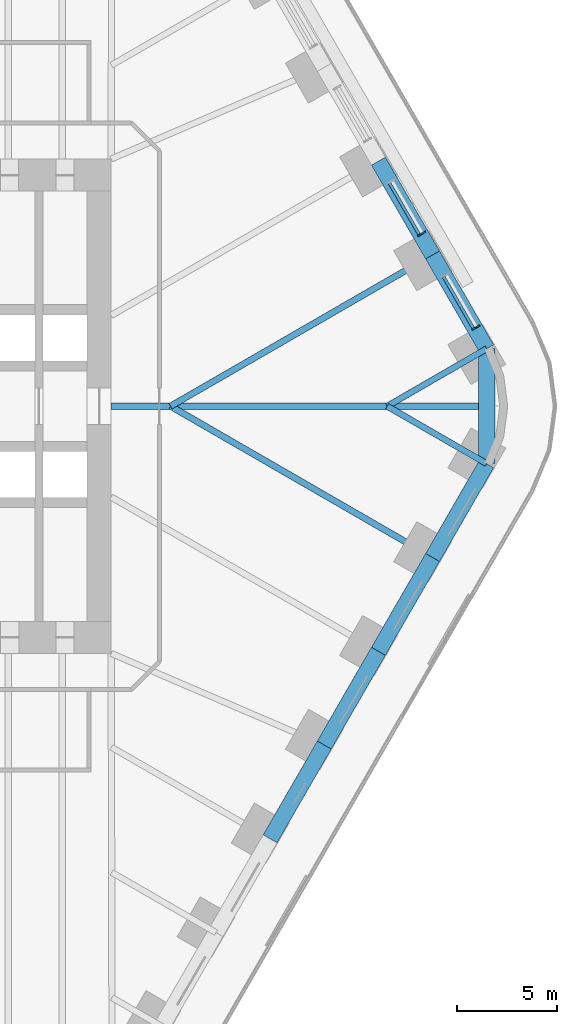
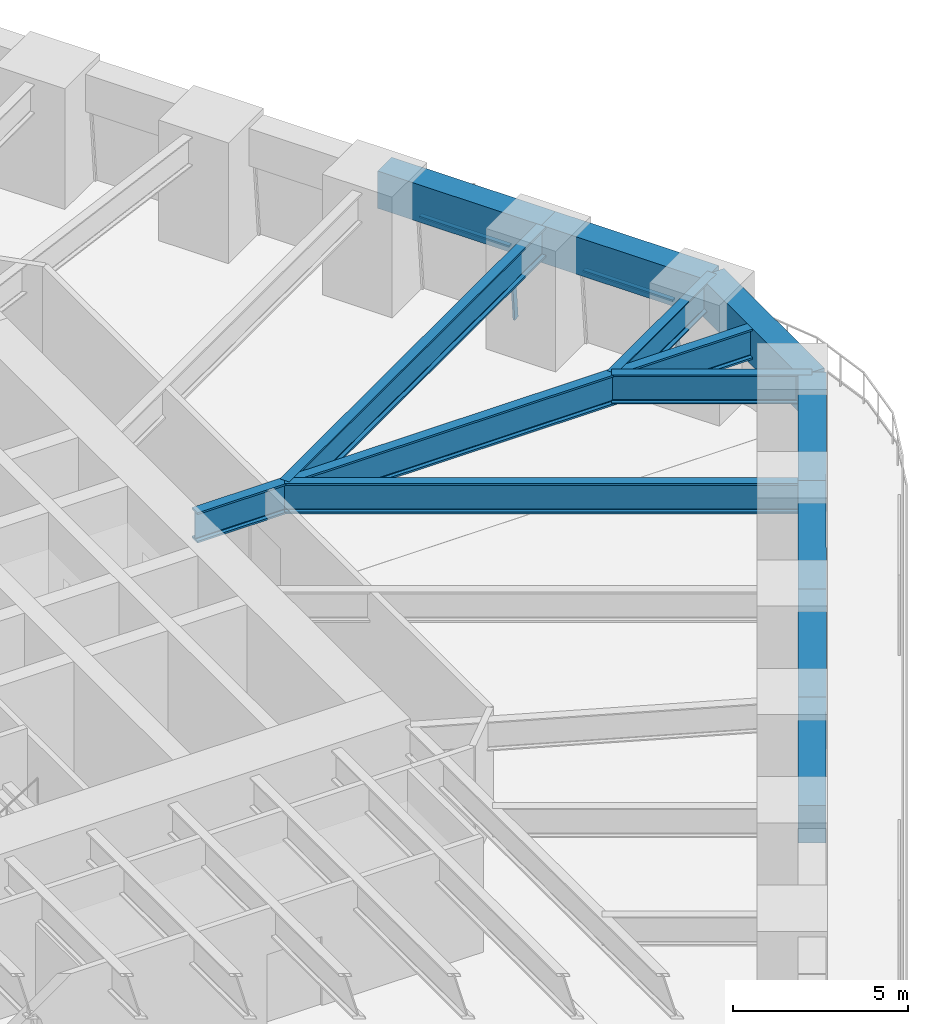
# One storey, part 12 of 23: 12 beams, 4 members, 2 elements without a shape of their own.
"""IFC4 building model written with IfcOpenShell, lengths in metres."""

from ifc_helpers import new_model, si_unit, direction, frame, origin, origin_2d, place, context, subcontext, project, spatial, rectangle, i_section, extrude, material, material_profile, profile_set, type_object, element, aggregate, save


model = new_model("IFC4")

# Units and contexts
model_context = context("Model", 3, precision=1e-05, world=origin(), true_north=direction((0.0, 1.0)))
body_context = subcontext(model_context, "Body", "Model", "MODEL_VIEW")
ifc_project = project(units=[si_unit("LENGTHUNIT", "METRE"), si_unit("AREAUNIT", "SQUARE_METRE"), si_unit("VOLUMEUNIT", "CUBIC_METRE"), si_unit("PLANEANGLEUNIT", "RADIAN"), si_unit("MASSUNIT", "GRAM", prefix="KILO")], contexts=[model_context])

# Site, building, storey
site_placement = place(None, origin())
site = spatial("IfcSite", under=ifc_project, at=site_placement, CompositionType="ELEMENT")
building_placement = place(site_placement, origin())
building = spatial("IfcBuilding", under=site, at=building_placement, Name="Tarfa Lantern Tower", CompositionType="ELEMENT")
storey_placement = place(building_placement, frame((0.0, 0.0, 27.699951171875)))
storey = spatial("IfcBuildingStorey", under=building, at=storey_placement, Name="L05", CompositionType="ELEMENT", Elevation=27.699951171875)

# Curtain wall, member
ifc_material_1 = material(Name="Aluminium framed curtain wall", Category="aluminium")
curtain_wall_type = type_object("IfcCurtainWallType", Name="CW1 CANTED GLAZING LOW ZONE 2700", PredefinedType="USERDEFINED", material=ifc_material_1)
curtain_wall_1_placement = place(storey_placement, origin())
curtain_wall_1 = element("IfcCurtainWall", 1, at=curtain_wall_1_placement, inside=storey, type_object=curtain_wall_type, Name="CW1 NE L05", ObjectType="CURTAIN WALL", PredefinedType="USERDEFINED")
ifc_material_2 = material(Name="Aluminium mullion", Category="aluminium")
ifc_material_profile_1 = material_profile(ifc_material_2, rectangle(XDim=0.06494140625, YDim=0.199951171875, at=origin_2d()), Name="AL MULLION 65x200")
ifc_profile_set_1 = profile_set([ifc_material_profile_1], Name="Aluminium mullion")
member_type_1 = type_object("IfcMemberType", Name="CWM1 MULLION 65x200", PredefinedType="MULLION", material=ifc_profile_set_1)
member_1_placement = place(storey_placement, frame((36.849853515625, 3.97412109375, 0.0), z_axis=(-0.07986442134, -0.046099868913, 0.99573916077), x_axis=(0.499919672301, -0.866071776036, 0.0)))
member_1 = element("IfcMember", 2, at=member_1_placement, type_object=member_type_1, Name="CW1 mullion 1", PredefinedType="MULLION", context=body_context, shape_type="SweptSolid", body=[
    extrude(rectangle(XDim=0.06494140625, YDim=0.199951171875, at=origin_2d()), origin(), (0.0, 0.0, 1.0), 2.71142578125),
])

curtain_wall_2_placement = place(storey_placement, origin())
curtain_wall_2 = element("IfcCurtainWall", 3, at=curtain_wall_2_placement, inside=storey, type_object=curtain_wall_type, Name="CW1 NE L05", ObjectType="CURTAIN WALL", PredefinedType="USERDEFINED")
member_2_placement = place(storey_placement, frame((34.155517578125, 8.640625, 0.0), z_axis=(-0.079774955866, -0.04610020023, 0.995746317068), x_axis=(0.500342721131, -0.865827443207, 0.0)))
member_2 = element("IfcMember", 4, at=member_2_placement, type_object=member_type_1, Name="CW1 mullion 1", PredefinedType="MULLION", context=body_context, shape_type="SweptSolid", body=[
    extrude(rectangle(XDim=0.06494140625, YDim=0.199951171875, at=origin_2d()), origin(), (0.0, 0.0, 1.0), 2.71142578125),
])

# Member
ifc_material_3 = material(Name="Aluminium transom", Category="aluminium")
ifc_material_profile_2 = material_profile(ifc_material_3, rectangle(XDim=0.14990234375, YDim=0.06494140625, at=origin_2d()), Name="AL TRANSOM 150x65")
ifc_profile_set_2 = profile_set([ifc_material_profile_2], Name="Aluminium transom")
member_type_2 = type_object("IfcMemberType", Name="CWT1 TRANSOM 150x65", PredefinedType="USERDEFINED", material=ifc_profile_set_2)
member_3_placement = place(storey_placement, frame((36.619873046875, 3.878662109375, 2.66748046875), z_axis=(-0.50004387232, 0.866000072607, 0.0), x_axis=(-0.866000072607, -0.50004387232, 0.0)))
member_3 = element("IfcMember", 5, at=member_3_placement, type_object=member_type_2, Name="CW1 transom 1.2", ObjectType="TRANSOM", PredefinedType="USERDEFINED", context=body_context, shape_type="SweptSolid", body=[
    extrude(rectangle(XDim=0.14990234375, YDim=0.06494140625, at=origin_2d()), origin(), (0.0, 0.0, 1.0), 2.958740234375),
])

aggregate(curtain_wall_1, [member_1, member_3])

member_4_placement = place(storey_placement, frame((33.925537109375, 8.54541015625, 2.66748046875), z_axis=(-0.50004387232, 0.866000072607, 0.0), x_axis=(-0.866000072607, -0.50004387232, 0.0)))
member_4 = element("IfcMember", 6, at=member_4_placement, type_object=member_type_2, Name="CW1 transom 1.2", ObjectType="TRANSOM", PredefinedType="USERDEFINED", context=body_context, shape_type="SweptSolid", body=[
    extrude(rectangle(XDim=0.14990234375, YDim=0.06494140625, at=origin_2d()), origin(), (0.0, 0.0, 1.0), 2.958740234375),
])

aggregate(curtain_wall_2, [member_2, member_4])

# Beams
ifc_material_4 = material(Name="Concrete C80/95", Category="concrete")
ifc_material_profile_3 = material_profile(ifc_material_4, rectangle(XDim=0.800048828125, YDim=1.300048828125, at=origin_2d()), Name="RC 800x1300")
ifc_profile_set_3 = profile_set([ifc_material_profile_3], Name="Concrete C80/95")
beam_type_1 = type_object("IfcBeamType", Name="EB1 RC 800x1300", PredefinedType="SPANDREL", material=ifc_profile_set_3)
beam_1_placement = place(storey_placement, frame((37.285400390625, 2.860107421875, 3.35009765625), z_axis=(-0.500017906299, 0.866015065331, 0.0), x_axis=(-0.866015065331, -0.500017906299, 0.0)))
element("IfcBeam", 7, at=beam_1_placement, inside=storey, type_object=beam_type_1, Name="Edge beam NE0", PredefinedType="SPANDREL", context=body_context, shape_type="SweptSolid", body=[
    extrude(rectangle(XDim=0.800048828125, YDim=1.300048828125, at=origin_2d()), origin(), (0.0, 0.0, 1.0), 5.388427734375),
])
beam_2_placement = place(storey_placement, frame((34.591064453125, 7.526611328125, 3.35009765625), z_axis=(-0.499998287579, 0.866026392449, 0.0), x_axis=(-0.866026392449, -0.499998287579, 0.0)))
element("IfcBeam", 8, at=beam_2_placement, inside=storey, type_object=beam_type_1, Name="Edge beam NE1", PredefinedType="SPANDREL", context=body_context, shape_type="SweptSolid", body=[
    extrude(rectangle(XDim=0.800048828125, YDim=1.300048828125, at=origin_2d()), origin(), (0.0, 0.0, 1.0), 5.388671875),
])
beam_3_placement = place(storey_placement, frame((26.508056640625, -21.526611328125, 3.35009765625), z_axis=(0.500017906299, 0.866015065331, 0.0), x_axis=(-0.866015065331, 0.500017906299, 0.0)))
element("IfcBeam", 9, at=beam_3_placement, inside=storey, type_object=beam_type_1, Name="Edge beam SE2", PredefinedType="SPANDREL", context=body_context, shape_type="SweptSolid", body=[
    extrude(rectangle(XDim=0.800048828125, YDim=1.300048828125, at=origin_2d()), origin(), (0.0, 0.0, 1.0), 5.388427734375),
])
for number, where, z_axis, x_axis, name in (
    (10, (29.202392578125, -16.860107421875, 3.35009765625), (0.499998287579, 0.866026392449, 0.0), (-0.866026392449, 0.499998287579, 0.0), "Edge beam SE3"),
    (11, (31.896728515625, -12.193359375, 3.35009765625), (0.499998287579, 0.866026392449, 0.0), (-0.866026392449, 0.499998287579, 0.0), "Edge beam SE4"),
):
    element("IfcBeam", number, at=place(storey_placement, frame(where, z_axis=z_axis, x_axis=x_axis)), inside=storey, type_object=beam_type_1, Name=name, PredefinedType="SPANDREL", context=body_context, shape_type="SweptSolid", body=[
        extrude(rectangle(XDim=0.800048828125, YDim=1.300048828125, at=origin_2d()), origin(), (0.0, 0.0, 1.0), 5.388671875),
    ])
beam_4_placement = place(storey_placement, frame((34.591064453125, -7.526611328125, 3.35009765625), z_axis=(0.500017906299, 0.866015065331, 0.0), x_axis=(-0.866015065331, 0.500017906299, 0.0)))
element("IfcBeam", 12, at=beam_4_placement, inside=storey, type_object=beam_type_1, Name="Edge beam SE5", PredefinedType="SPANDREL", context=body_context, shape_type="SweptSolid", body=[
    extrude(rectangle(XDim=0.800048828125, YDim=1.300048828125, at=origin_2d()), origin(), (0.0, 0.0, 1.0), 5.388427734375),
])
beam_5_placement = place(storey_placement, frame((37.285400390625, -2.860107421875, 3.35009765625), z_axis=(0.0, 1.0, 0.0), x_axis=(-1.0, 0.0, 0.0)))
element("IfcBeam", 13, at=beam_5_placement, inside=storey, type_object=beam_type_1, Name="Edge beam SE6", PredefinedType="SPANDREL", context=body_context, shape_type="SweptSolid", body=[
    extrude(rectangle(XDim=0.800048828125, YDim=1.300048828125, at=origin_2d()), origin(), (0.0, 0.0, 1.0), 5.72021484375),
])
ifc_material_5 = material(Name="Steel S460M", Category="steel")
ifc_material_profile_4 = material_profile(ifc_material_5, i_section(OverallWidth=0.302001953125, OverallDepth=1.008056640625, WebThickness=0.02099609375, FlangeThickness=0.0400390625, FilletRadius=0.030029296875, at=origin_2d()), Name="UB1016x305x349")
ifc_profile_set_4 = profile_set([ifc_material_profile_4], Name="Steel S460M")
beam_type_2 = type_object("IfcBeamType", Name="UB1016x305x349", PredefinedType="BEAM", material=ifc_profile_set_4)
for number, where, z_axis, x_axis, name in (
    (14, (37.285400390625, 2.860107421875, 3.49609375), (-0.866025668288, -0.499999541866, 0.0), (0.499999541866, -0.866025668288, 0.0), "Floor beam NE0"),
    (15, (37.285400390625, -2.860107421875, 3.49609375), (-0.866025668288, 0.499999541866, 0.0), (-0.499999541866, -0.866025668288, 0.0), "Floor beam SE6"),
):
    element("IfcBeam", number, at=place(storey_placement, frame(where, z_axis=z_axis, x_axis=x_axis)), inside=storey, type_object=beam_type_2, Name=name, PredefinedType="BEAM", context=body_context, shape_type="SweptSolid", body=[
        extrude(i_section(OverallWidth=0.302001953125, OverallDepth=1.008056640625, WebThickness=0.02099609375, FlangeThickness=0.0400390625, FilletRadius=0.030029296875, at=origin_2d()), origin(), (0.0, 0.0, 1.0), 5.72021484375),
    ])
ifc_material_profile_5 = material_profile(ifc_material_5, i_section(OverallWidth=0.314208984375, OverallDepth=1.055908203125, WebThickness=0.035888671875, FlangeThickness=0.06396484375, FilletRadius=0.030029296875, at=origin_2d()), Name="UB1016x305x584")
ifc_profile_set_5 = profile_set([ifc_material_profile_5], Name="Steel S460M")
beam_type_3 = type_object("IfcBeamType", Name="UB1016x305x584", PredefinedType="BEAM", material=ifc_profile_set_5)
beam_6_placement = place(storey_placement, frame((18.60009765625, 0.0, 3.47216796875), z_axis=(1.0, 0.0, 0.0), x_axis=(0.0, 1.0, 0.0)))
element("IfcBeam", 16, at=beam_6_placement, inside=storey, type_object=beam_type_3, Name="Hip girder E", PredefinedType="BEAM", context=body_context, shape_type="SweptSolid", body=[
    extrude(i_section(OverallWidth=0.314208984375, OverallDepth=1.055908203125, WebThickness=0.035888671875, FlangeThickness=0.06396484375, FilletRadius=0.030029296875, at=origin_2d()), origin(), (0.0, 0.0, 1.0), 18.685302734375),
])
for number, where, z_axis, x_axis, name in (
    (17, (34.591064453125, 7.526611328125, 3.47216796875), (-0.86602785945, -0.499995746638, 0.0), (0.499995746638, -0.86602785945, 0.0), "Floor beam NE1"),
    (18, (34.591064453125, -7.526611328125, 3.47216796875), (-0.86602785945, 0.499995746638, 0.0), (-0.499995746638, -0.86602785945, 0.0), "Floor beam SE5"),
):
    element("IfcBeam", number, at=place(storey_placement, frame(where, z_axis=z_axis, x_axis=x_axis)), inside=storey, type_object=beam_type_3, Name=name, PredefinedType="BEAM", context=body_context, shape_type="SweptSolid", body=[
        extrude(i_section(OverallWidth=0.314208984375, OverallDepth=1.055908203125, WebThickness=0.035888671875, FlangeThickness=0.06396484375, FilletRadius=0.030029296875, at=origin_2d()), origin(), (0.0, 0.0, 1.0), 15.053466796875),
    ])

save(model, "model.ifc")
